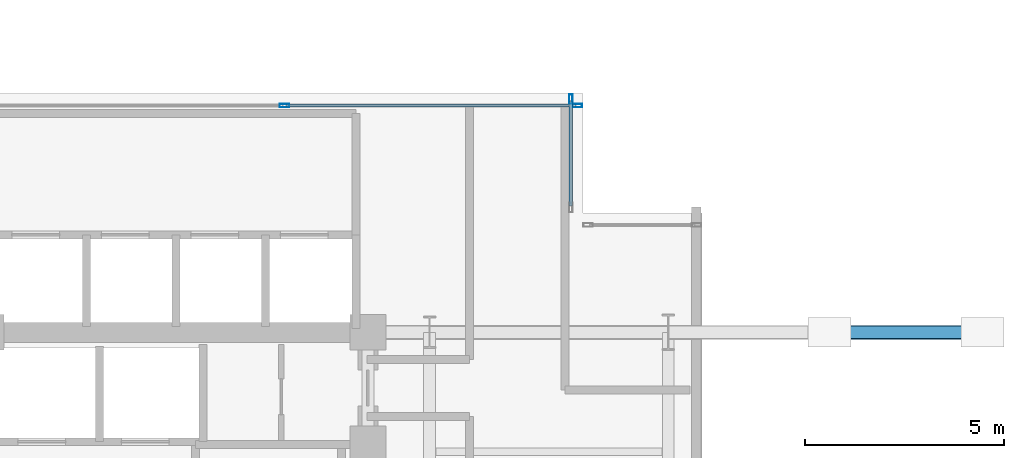
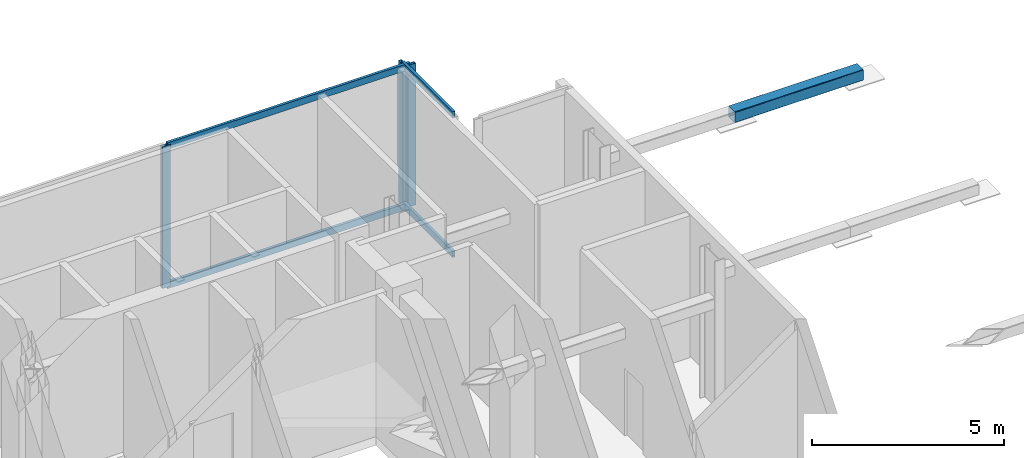
# One storey, part 10 of 22: 8 members, 2 elements without a shape of their own.
"""IFC4 building model written with IfcOpenShell, lengths in metres."""

from ifc_helpers import new_model, si_unit, direction, frame, origin, origin_2d, place, context, subcontext, project, spatial, hollow_rectangle, extrude, material, layer, layer_set, material_profile, profile_set, type_object, element, aggregate, save


model = new_model("IFC4")

# Units and contexts
model_context = context("Model", 3, precision=1e-05, world=origin(), true_north=direction((0.0, 1.0)))
body_context = subcontext(model_context, "Body", "Model", "MODEL_VIEW")
ifc_project = project(units=[si_unit("LENGTHUNIT", "METRE"), si_unit("AREAUNIT", "SQUARE_METRE"), si_unit("VOLUMEUNIT", "CUBIC_METRE"), si_unit("PLANEANGLEUNIT", "RADIAN"), si_unit("MASSUNIT", "GRAM", prefix="KILO"), si_unit("THERMODYNAMICTEMPERATUREUNIT", "KELVIN"), si_unit("POWERUNIT", "WATT")], contexts=[model_context])

# Site, building, storey
site_placement = place(None, origin())
site = spatial("IfcSite", under=ifc_project, at=site_placement, CompositionType="ELEMENT")
building_placement = place(site_placement, origin())
building = spatial("IfcBuilding", under=site, at=building_placement, Name="Svarakhadi Broadcast Tower", CompositionType="ELEMENT")
storey_placement = place(building_placement, frame((0.0, 0.0, 199.199951171875)))
storey = spatial("IfcBuildingStorey", under=building, at=storey_placement, Name="L49", CompositionType="ELEMENT", Elevation=199.199951171875)

# Curtain wall, members
ifc_material_1 = material(Name="Anodised Bronze Aluminium AA 6063-T6", Category="aluminium")
ifc_layer = layer(ifc_material_1, 0.239990234375)
ifc_layer_set = layer_set([ifc_layer], Name="Anodised Bronze Aluminium AA 6063-T6")
curtain_wall_type = type_object("IfcCurtainWallType", Name="CW_Sys_06", PredefinedType="NOTDEFINED", material=ifc_layer_set)
curtain_wall_1_placement = place(storey_placement, origin())
curtain_wall_1 = element("IfcCurtainWall", 1, at=curtain_wall_1_placement, inside=storey, type_object=curtain_wall_type, Name="L49 Unitised Facade Curtain Wall 10", PredefinedType="NOTDEFINED")
ifc_material_profile_1 = material_profile(ifc_material_1, hollow_rectangle(XDim=0.090087890625, YDim=0.239990234375, WallThickness=0.006103515625, at=origin_2d()), Name="ALU MULLION 240x90x6")
ifc_profile_set_1 = profile_set([ifc_material_profile_1], Name="Anodised Bronze Aluminium AA 6063-T6")
member_type_1 = type_object("IfcMemberType", Name="CW_Sys_06_Mul", PredefinedType="MULLION", material=ifc_profile_set_1)
member_1_placement = place(storey_placement, frame((31.5, 23.699951171875, 0.0), z_axis=(0.0, 0.0, 1.0), x_axis=(0.0, 1.0, 0.0)))
member_1 = element("IfcMember", 2, at=member_1_placement, type_object=member_type_1, Name="CW-06 mullion 2", PredefinedType="MULLION", context=body_context, shape_type="SweptSolid", body=[
    extrude(hollow_rectangle(XDim=0.090087890625, YDim=0.239990234375, WallThickness=0.006103515625, at=origin_2d()), origin(), (0.0, 0.0, 1.0), 4.5),
])
member_2_placement = place(storey_placement, frame((38.864990234375, 23.699951171875, 0.0), z_axis=(0.0, 0.0, 1.0), x_axis=(0.0, 1.0, 0.0)))
member_2 = element("IfcMember", 3, at=member_2_placement, type_object=member_type_1, Name="CW-06 mullion 3", PredefinedType="MULLION", context=body_context, shape_type="SweptSolid", body=[
    extrude(hollow_rectangle(XDim=0.090087890625, YDim=0.239990234375, WallThickness=0.006103515625, at=origin_2d()), origin(), (0.0, 0.0, 1.0), 4.5),
])

# Curtain wall, member
curtain_wall_2_placement = place(storey_placement, origin())
curtain_wall_2 = element("IfcCurtainWall", 4, at=curtain_wall_2_placement, inside=storey, type_object=curtain_wall_type, Name="L49 Unitised Facade Curtain Wall 11", PredefinedType="NOTDEFINED")
member_3_placement = place(storey_placement, frame((38.699951171875, 23.864990234375, 0.0), z_axis=(0.0, 0.0, 1.0), x_axis=(1.0, 0.0, 0.0)))
member_3 = element("IfcMember", 5, at=member_3_placement, type_object=member_type_1, Name="CW-06 mullion 1", PredefinedType="MULLION", context=body_context, shape_type="SweptSolid", body=[
    extrude(hollow_rectangle(XDim=0.090087890625, YDim=0.239990234375, WallThickness=0.006103515625, at=origin_2d()), origin(), (0.0, 0.0, 1.0), 4.5),
])

# Member
ifc_material_profile_2 = material_profile(ifc_material_1, hollow_rectangle(XDim=0.080078125, YDim=0.2099609375, WallThickness=0.0048828125, at=origin_2d()), Name="ALU TRANSOM 210x80x5")
ifc_profile_set_2 = profile_set([ifc_material_profile_2], Name="Anodised Bronze Aluminium AA 6063-T6")
member_type_2 = type_object("IfcMemberType", Name="CW_Sys_06_Trn", PredefinedType="USERDEFINED", material=ifc_profile_set_2)
member_4_placement = place(storey_placement, frame((31.544921875, 23.699951171875, 0.0400390625), z_axis=(1.0, 0.0, 0.0), x_axis=(0.0, 1.0, 0.0)))
member_4 = element("IfcMember", 6, at=member_4_placement, type_object=member_type_2, Name="CW-06 transom 2.1", ObjectType="TRANSOM", PredefinedType="USERDEFINED", context=body_context, shape_type="SweptSolid", body=[
    extrude(hollow_rectangle(XDim=0.080078125, YDim=0.2099609375, WallThickness=0.0048828125, at=origin_2d()), origin(), (0.0, 0.0, 1.0), 7.275146484375),
])

member_5_placement = place(storey_placement, frame((31.544921875, 23.699951171875, 4.4599609375), z_axis=(1.0, 0.0, 0.0), x_axis=(0.0, 1.0, 0.0)))
member_5 = element("IfcMember", 7, at=member_5_placement, type_object=member_type_2, Name="CW-06 transom 2.2", ObjectType="TRANSOM", PredefinedType="USERDEFINED", context=body_context, shape_type="SweptSolid", body=[
    extrude(hollow_rectangle(XDim=0.080078125, YDim=0.2099609375, WallThickness=0.0048828125, at=origin_2d()), origin(), (0.0, 0.0, 1.0), 7.275146484375),
])

aggregate(curtain_wall_1, [member_1, member_2, member_4, member_5])

member_6_placement = place(storey_placement, frame((38.699951171875, 23.820068359375, 0.0400390625), z_axis=(0.0, -1.0, 0.0), x_axis=(1.0, 0.0, 0.0)))
member_6 = element("IfcMember", 8, at=member_6_placement, type_object=member_type_2, Name="CW-06 transom 1.1", ObjectType="TRANSOM", PredefinedType="USERDEFINED", context=body_context, shape_type="SweptSolid", body=[
    extrude(hollow_rectangle(XDim=0.080078125, YDim=0.2099609375, WallThickness=0.0048828125, at=origin_2d()), origin(), (0.0, 0.0, 1.0), 2.64013671875),
])

member_7_placement = place(storey_placement, frame((38.699951171875, 23.820068359375, 4.4599609375), z_axis=(0.0, -1.0, 0.0), x_axis=(1.0, 0.0, 0.0)))
member_7 = element("IfcMember", 9, at=member_7_placement, type_object=member_type_2, Name="CW-06 transom 1.2", ObjectType="TRANSOM", PredefinedType="USERDEFINED", context=body_context, shape_type="SweptSolid", body=[
    extrude(hollow_rectangle(XDim=0.080078125, YDim=0.2099609375, WallThickness=0.0048828125, at=origin_2d()), origin(), (0.0, 0.0, 1.0), 2.64013671875),
])

aggregate(curtain_wall_2, [member_3, member_6, member_7])

ifc_material_2 = material(Name="Steel S460ML (IS 2062 E450BR)", Category="steel")
ifc_material_profile_3 = material_profile(ifc_material_2, hollow_rectangle(XDim=0.35009765625, YDim=0.35009765625, WallThickness=0.01611328125, InnerFilletRadius=0.01611328125, OuterFilletRadius=0.031982421875, at=origin_2d()), Name="SHS 350x350x16")
ifc_profile_set_3 = profile_set([ifc_material_profile_3], Name="Steel S460ML (IS 2062 E450BR)")
member_type_3 = type_object("IfcMemberType", Name="Pool_Truss_Chord", PredefinedType="CHORD", material=ifc_profile_set_3)
member_8_placement = place(storey_placement, frame((45.199951171875, 18.0, 4.125), z_axis=(1.0, 0.0, 0.0), x_axis=(0.0, 1.0, 0.0)))
element("IfcMember", 10, at=member_8_placement, inside=storey, type_object=member_type_3, Name="L50 Sky Pool Cantilever Truss Chord PT-CNT2-3", PredefinedType="CHORD", context=body_context, shape_type="SweptSolid", body=[
    extrude(hollow_rectangle(XDim=0.35009765625, YDim=0.35009765625, WallThickness=0.01611328125, InnerFilletRadius=0.01611328125, OuterFilletRadius=0.031982421875, at=origin_2d()), origin(), (0.0, 0.0, 1.0), 3.85009765625),
])

save(model, "model.ifc")
